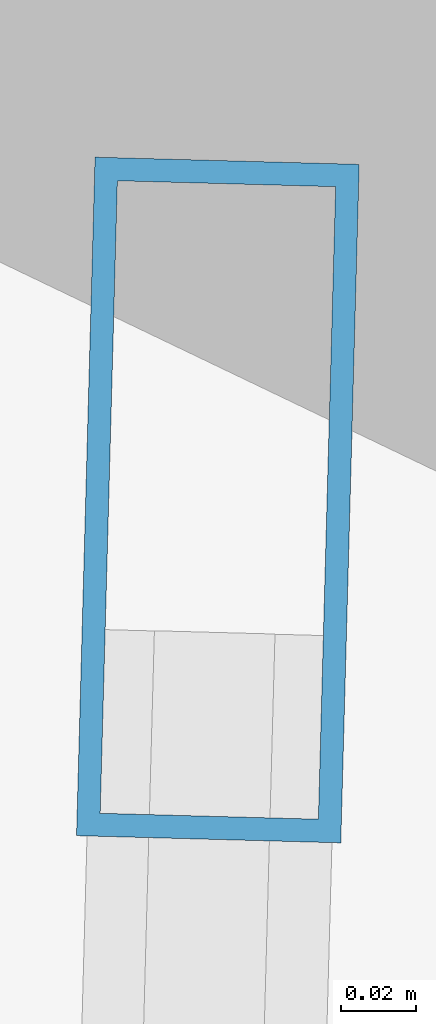
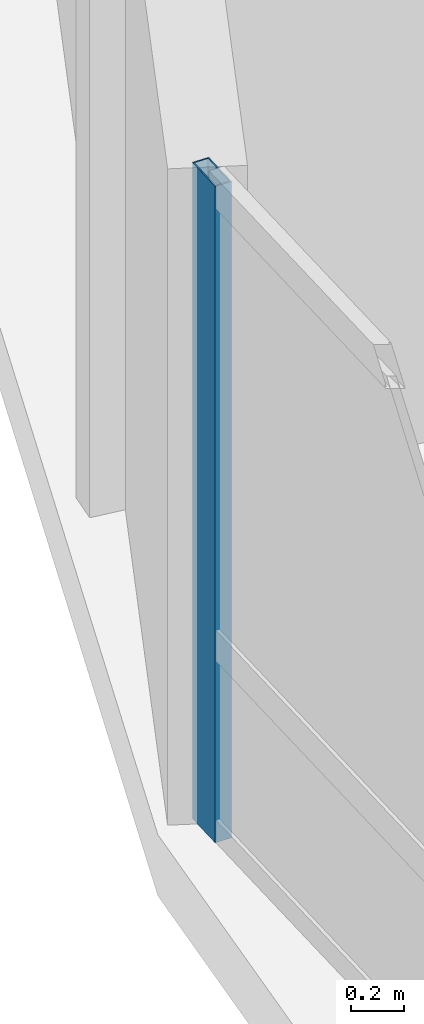
# One storey, part 6 of 17: 1 member, 1 element without a shape of its own.
"""IFC4 building model written with IfcOpenShell, lengths in metres."""

from ifc_helpers import new_model, si_unit, direction, frame, origin, origin_2d, place, context, subcontext, project, spatial, hollow_rectangle, extrude, material, layer, layer_set, material_profile, profile_set, type_object, element, aggregate, save


model = new_model("IFC4")

# Units and contexts
model_context = context("Model", 3, precision=1e-05, world=origin(), true_north=direction((0.0, 1.0)))
body_context = subcontext(model_context, "Body", "Model", "MODEL_VIEW")
ifc_project = project(units=[si_unit("LENGTHUNIT", "METRE"), si_unit("AREAUNIT", "SQUARE_METRE"), si_unit("VOLUMEUNIT", "CUBIC_METRE"), si_unit("PLANEANGLEUNIT", "RADIAN"), si_unit("MASSUNIT", "GRAM", prefix="KILO"), si_unit("THERMODYNAMICTEMPERATUREUNIT", "KELVIN"), si_unit("POWERUNIT", "WATT")], contexts=[model_context])

# Site, building, storey
site_placement = place(None, origin())
site = spatial("IfcSite", under=ifc_project, at=site_placement, CompositionType="ELEMENT")
building_placement = place(site_placement, origin())
building = spatial("IfcBuilding", under=site, at=building_placement, Name="Ocrelia Relay Tower", CompositionType="ELEMENT")
storey_placement = place(building_placement, frame((0.0, 0.0, 80.39990234375)))
storey = spatial("IfcBuildingStorey", under=building, at=storey_placement, Name="L18", CompositionType="ELEMENT", Elevation=80.39990234375)

# Curtain wall, member
ifc_material_1 = material(Name="Aluminium and solar-control low-E glass", Category="aluminium")
ifc_layer = layer(ifc_material_1, 0.179931640625, Name="Aluminium and solar-control low-E glass")
ifc_layer_set = layer_set([ifc_layer], Name="Aluminium and solar-control low-E glass")
curtain_wall_type = type_object("IfcCurtainWallType", Name="CW-SYS-Z1-DATA", PredefinedType="NOTDEFINED", material=ifc_layer_set)
curtain_wall_placement = place(storey_placement, origin())
curtain_wall = element("IfcCurtainWall", 1, at=curtain_wall_placement, inside=storey, type_object=curtain_wall_type, Name="L18 Elliptical Tower Curtain Wall Bay 09", PredefinedType="NOTDEFINED")
ifc_material_2 = material(Name="Anodised bronze aluminium", Category="aluminium")
ifc_material_profile = material_profile(ifc_material_2, hollow_rectangle(XDim=0.070068359375, YDim=0.179931640625, WallThickness=0.006103515625, at=origin_2d()), Name="CW-MUL-180x70")
ifc_profile_set = profile_set([ifc_material_profile], Name="Anodised bronze aluminium")
member_type = type_object("IfcMemberType", Name="CW-SYS-Z1-DATA-MUL", PredefinedType="MULLION", material=ifc_profile_set)
member_placement = place(storey_placement, frame((6.950927734375, 27.94287109375, 0.0), z_axis=(0.0, 0.0, 1.0), x_axis=(0.999629402691, -0.027222367212, 0.0)))
member = element("IfcMember", 2, at=member_placement, type_object=member_type, Name="CW-Z1 mullion 1", PredefinedType="MULLION", context=body_context, shape_type="SweptSolid", body=[
    extrude(hollow_rectangle(XDim=0.070068359375, YDim=0.179931640625, WallThickness=0.006103515625, at=origin_2d()), origin(), (0.0, 0.0, 1.0), 3.0),
])
aggregate(curtain_wall, [member])

save(model, "model.ifc")
